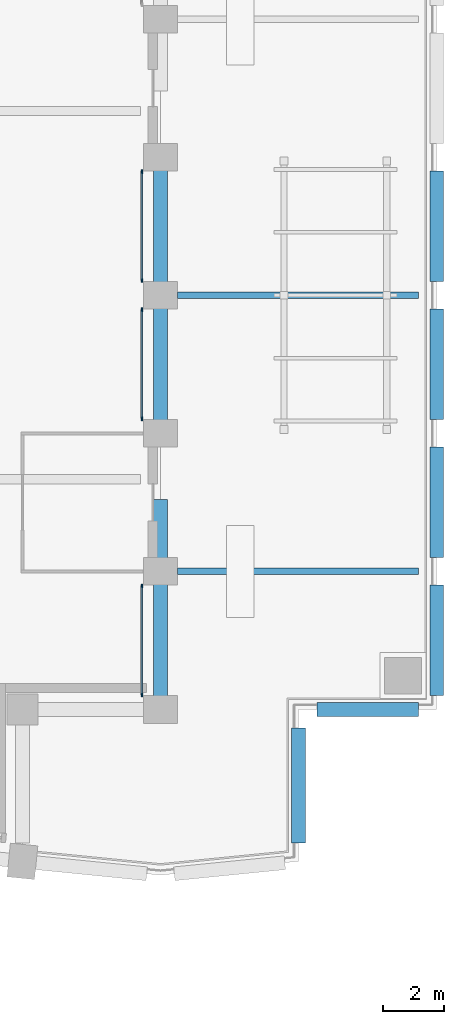
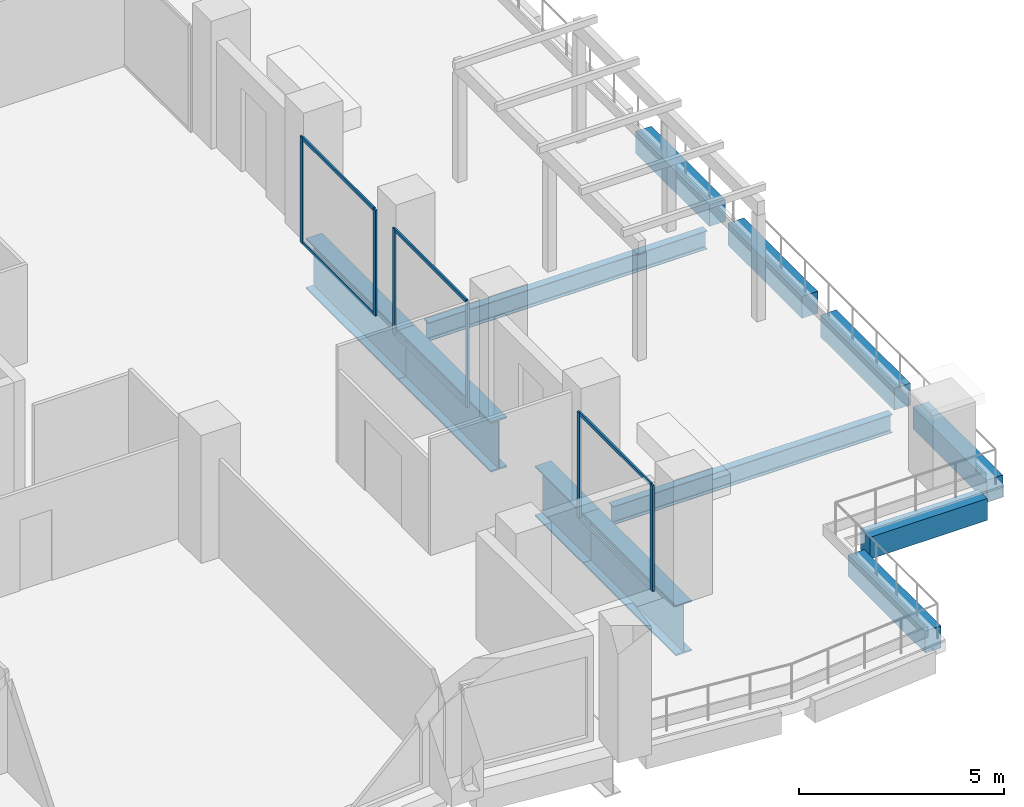
# One storey, part 7 of 18: 12 beams, 12 members, 3 elements without a shape of their own.
"""IFC4 building model written with IfcOpenShell, lengths in metres."""

from ifc_helpers import new_model, si_unit, direction, frame, origin, origin_2d, place, context, subcontext, project, spatial, rectangle, i_section, extrude, material, material_profile, profile_set, type_object, element, aggregate, save


model = new_model("IFC4")

# Units and contexts
model_context = context("Model", 3, precision=1e-05, world=origin(), true_north=direction((0.0, 1.0)))
body_context = subcontext(model_context, "Body", "Model", "MODEL_VIEW")
ifc_project = project(units=[si_unit("LENGTHUNIT", "METRE"), si_unit("AREAUNIT", "SQUARE_METRE"), si_unit("VOLUMEUNIT", "CUBIC_METRE"), si_unit("PLANEANGLEUNIT", "RADIAN"), si_unit("MASSUNIT", "GRAM", prefix="KILO")], contexts=[model_context])

# Site, building, storey
site_placement = place(None, origin())
site = spatial("IfcSite", under=ifc_project, at=site_placement, CompositionType="ELEMENT")
building_placement = place(site_placement, origin())
building = spatial("IfcBuilding", under=site, at=building_placement, Name="Brondeck Convention Tower", CompositionType="ELEMENT")
storey_placement = place(building_placement, frame((0.0, 0.0, 143.39990234375)))
storey = spatial("IfcBuildingStorey", under=building, at=storey_placement, Name="L34", CompositionType="ELEMENT", Elevation=143.39990234375)

# Curtain wall, members
ifc_material_1 = material(Name="Aluminium, bronze anodised", Category="aluminium")
curtain_wall_type = type_object("IfcCurtainWallType", Name="Terrace door screen curtain wall", PredefinedType="NOTDEFINED", material=ifc_material_1)
curtain_wall_1_placement = place(storey_placement, origin())
curtain_wall_1 = element("IfcCurtainWall", 1, at=curtain_wall_1_placement, inside=storey, type_object=curtain_wall_type, Name="ENV-CW6-L34-A-E63-01", PredefinedType="NOTDEFINED")
ifc_material_profile_1 = material_profile(ifc_material_1, rectangle(XDim=0.050048828125, YDim=0.1201171875, at=origin_2d()), Name="CW6 mullion")
ifc_profile_set_1 = profile_set([ifc_material_profile_1], Name="Aluminium, bronze anodised")
member_type_1 = type_object("IfcMemberType", Name="CW6 mullion", PredefinedType="MULLION", material=ifc_profile_set_1)
member_1_placement = place(storey_placement, frame((62.389892578125, 35.52490234375, 0.0), z_axis=(0.0, 0.0, 1.0), x_axis=(1.0, 0.0, 0.0)))
member_1 = element("IfcMember", 2, at=member_1_placement, type_object=member_type_1, Name="CW6 mullion 1", PredefinedType="MULLION", context=body_context, shape_type="SweptSolid", body=[
    extrude(rectangle(XDim=0.050048828125, YDim=0.1201171875, at=origin_2d()), origin(), (0.0, 0.0, 1.0), 3.150146484375),
])
member_2_placement = place(storey_placement, frame((62.389892578125, 31.97509765625, 0.0), z_axis=(0.0, 0.0, 1.0), x_axis=(1.0, 0.0, 0.0)))
member_2 = element("IfcMember", 3, at=member_2_placement, type_object=member_type_1, Name="CW6 mullion 2", PredefinedType="MULLION", context=body_context, shape_type="SweptSolid", body=[
    extrude(rectangle(XDim=0.050048828125, YDim=0.1201171875, at=origin_2d()), origin(), (0.0, 0.0, 1.0), 3.150146484375),
])

curtain_wall_2_placement = place(storey_placement, origin())
curtain_wall_2 = element("IfcCurtainWall", 4, at=curtain_wall_2_placement, inside=storey, type_object=curtain_wall_type, Name="ENV-CW6-L34-A-E63-03", PredefinedType="NOTDEFINED")
member_3_placement = place(storey_placement, frame((62.389892578125, 44.52490234375, 0.0), z_axis=(0.0, 0.0, 1.0), x_axis=(1.0, 0.0, 0.0)))
member_3 = element("IfcMember", 5, at=member_3_placement, type_object=member_type_1, Name="CW6 mullion 1", PredefinedType="MULLION", context=body_context, shape_type="SweptSolid", body=[
    extrude(rectangle(XDim=0.050048828125, YDim=0.1201171875, at=origin_2d()), origin(), (0.0, 0.0, 1.0), 3.150146484375),
])
member_4_placement = place(storey_placement, frame((62.389892578125, 40.97509765625, 0.0), z_axis=(0.0, 0.0, 1.0), x_axis=(1.0, 0.0, 0.0)))
member_4 = element("IfcMember", 6, at=member_4_placement, type_object=member_type_1, Name="CW6 mullion 2", PredefinedType="MULLION", context=body_context, shape_type="SweptSolid", body=[
    extrude(rectangle(XDim=0.050048828125, YDim=0.1201171875, at=origin_2d()), origin(), (0.0, 0.0, 1.0), 3.150146484375),
])

curtain_wall_3_placement = place(storey_placement, origin())
curtain_wall_3 = element("IfcCurtainWall", 7, at=curtain_wall_3_placement, inside=storey, type_object=curtain_wall_type, Name="ENV-CW6-L34-A-E63-04", PredefinedType="NOTDEFINED")
member_5_placement = place(storey_placement, frame((62.389892578125, 49.02490234375, 0.0), z_axis=(0.0, 0.0, 1.0), x_axis=(1.0, 0.0, 0.0)))
member_5 = element("IfcMember", 8, at=member_5_placement, type_object=member_type_1, Name="CW6 mullion 1", PredefinedType="MULLION", context=body_context, shape_type="SweptSolid", body=[
    extrude(rectangle(XDim=0.050048828125, YDim=0.1201171875, at=origin_2d()), origin(), (0.0, 0.0, 1.0), 3.150146484375),
])
member_6_placement = place(storey_placement, frame((62.389892578125, 45.47509765625, 0.0), z_axis=(0.0, 0.0, 1.0), x_axis=(1.0, 0.0, 0.0)))
member_6 = element("IfcMember", 9, at=member_6_placement, type_object=member_type_1, Name="CW6 mullion 2", PredefinedType="MULLION", context=body_context, shape_type="SweptSolid", body=[
    extrude(rectangle(XDim=0.050048828125, YDim=0.1201171875, at=origin_2d()), origin(), (0.0, 0.0, 1.0), 3.150146484375),
])

# Member
ifc_material_profile_2 = material_profile(ifc_material_1, rectangle(XDim=0.050048828125, YDim=0.10009765625, at=origin_2d()), Name="CW6 transom")
ifc_profile_set_2 = profile_set([ifc_material_profile_2], Name="Aluminium, bronze anodised")
member_type_2 = type_object("IfcMemberType", Name="CW6 transom", PredefinedType="USERDEFINED", material=ifc_profile_set_2)
member_7_placement = place(storey_placement, frame((62.389892578125, 35.5, 0.025146484375), z_axis=(0.0, -1.0, 0.0), x_axis=(1.0, 0.0, 0.0)))
member_7 = element("IfcMember", 10, at=member_7_placement, type_object=member_type_2, Name="CW6 transom 1.1", ObjectType="TRANSOM", PredefinedType="USERDEFINED", context=body_context, shape_type="SweptSolid", body=[
    extrude(rectangle(XDim=0.050048828125, YDim=0.10009765625, at=origin_2d()), origin(), (0.0, 0.0, 1.0), 3.5),
])

member_8_placement = place(storey_placement, frame((62.389892578125, 35.5, 3.125), z_axis=(0.0, -1.0, 0.0), x_axis=(1.0, 0.0, 0.0)))
member_8 = element("IfcMember", 11, at=member_8_placement, type_object=member_type_2, Name="CW6 transom 1.2", ObjectType="TRANSOM", PredefinedType="USERDEFINED", context=body_context, shape_type="SweptSolid", body=[
    extrude(rectangle(XDim=0.050048828125, YDim=0.10009765625, at=origin_2d()), origin(), (0.0, 0.0, 1.0), 3.5),
])

aggregate(curtain_wall_1, [member_1, member_2, member_7, member_8])

member_9_placement = place(storey_placement, frame((62.389892578125, 44.5, 0.025146484375), z_axis=(0.0, -1.0, 0.0), x_axis=(1.0, 0.0, 0.0)))
member_9 = element("IfcMember", 12, at=member_9_placement, type_object=member_type_2, Name="CW6 transom 1.1", ObjectType="TRANSOM", PredefinedType="USERDEFINED", context=body_context, shape_type="SweptSolid", body=[
    extrude(rectangle(XDim=0.050048828125, YDim=0.10009765625, at=origin_2d()), origin(), (0.0, 0.0, 1.0), 3.5),
])

member_10_placement = place(storey_placement, frame((62.389892578125, 44.5, 3.125), z_axis=(0.0, -1.0, 0.0), x_axis=(1.0, 0.0, 0.0)))
member_10 = element("IfcMember", 13, at=member_10_placement, type_object=member_type_2, Name="CW6 transom 1.2", ObjectType="TRANSOM", PredefinedType="USERDEFINED", context=body_context, shape_type="SweptSolid", body=[
    extrude(rectangle(XDim=0.050048828125, YDim=0.10009765625, at=origin_2d()), origin(), (0.0, 0.0, 1.0), 3.5),
])

aggregate(curtain_wall_2, [member_3, member_4, member_9, member_10])

member_11_placement = place(storey_placement, frame((62.389892578125, 49.0, 0.025146484375), z_axis=(0.0, -1.0, 0.0), x_axis=(1.0, 0.0, 0.0)))
member_11 = element("IfcMember", 14, at=member_11_placement, type_object=member_type_2, Name="CW6 transom 1.1", ObjectType="TRANSOM", PredefinedType="USERDEFINED", context=body_context, shape_type="SweptSolid", body=[
    extrude(rectangle(XDim=0.050048828125, YDim=0.10009765625, at=origin_2d()), origin(), (0.0, 0.0, 1.0), 3.5),
])

member_12_placement = place(storey_placement, frame((62.389892578125, 49.0, 3.125), z_axis=(0.0, -1.0, 0.0), x_axis=(1.0, 0.0, 0.0)))
member_12 = element("IfcMember", 15, at=member_12_placement, type_object=member_type_2, Name="CW6 transom 1.2", ObjectType="TRANSOM", PredefinedType="USERDEFINED", context=body_context, shape_type="SweptSolid", body=[
    extrude(rectangle(XDim=0.050048828125, YDim=0.10009765625, at=origin_2d()), origin(), (0.0, 0.0, 1.0), 3.5),
])

aggregate(curtain_wall_3, [member_5, member_6, member_11, member_12])

# Beams
ifc_material_2 = material(Name="Steel S355", Category="steel")
ifc_material_profile_3 = material_profile(ifc_material_2, i_section(OverallWidth=0.2099609375, OverallDepth=0.550048828125, WebThickness=0.010986328125, FlangeThickness=0.01708984375, FilletRadius=0.02392578125, at=origin_2d()), Name="IPE 550")
ifc_profile_set_3 = profile_set([ifc_material_profile_3], Name="Steel S355")
beam_type_1 = type_object("IfcBeamType", Name="Floor beam IPE 550", PredefinedType="BEAM", material=ifc_profile_set_3)
for number, where, z_axis, x_axis, name in (
    (16, (63.550048828125, 36.0, -0.574951171875), (1.0, 0.0, 0.0), (0.0, 1.0, 0.0), "STR-FB-L34T2-001"),
    (17, (63.550048828125, 45.0, -0.574951171875), (1.0, 0.0, 0.0), (0.0, 1.0, 0.0), "STR-FB-L34T2-002"),
):
    element("IfcBeam", number, at=place(storey_placement, frame(where, z_axis=z_axis, x_axis=x_axis)), inside=storey, type_object=beam_type_1, Name=name, PredefinedType="BEAM", context=body_context, shape_type="SweptSolid", body=[
        extrude(i_section(OverallWidth=0.2099609375, OverallDepth=0.550048828125, WebThickness=0.010986328125, FlangeThickness=0.01708984375, FilletRadius=0.02392578125, at=origin_2d()), origin(), (0.0, 0.0, 1.0), 7.849853515625),
    ])
ifc_material_3 = material(Name="Concrete C70/85", Category="concrete")
ifc_material_profile_4 = material_profile(ifc_material_3, rectangle(XDim=0.449951171875, YDim=0.64990234375, at=origin_2d()), Name="Precast spandrel 450x650 Concrete C70/85")
ifc_profile_set_4 = profile_set([ifc_material_profile_4], Name="Concrete C70/85")
beam_type_2 = type_object("IfcBeamType", Name="Precast spandrel 450x650 Concrete C70/85", PredefinedType="SPANDREL", material=ifc_profile_set_4)
for number, where, z_axis, x_axis, name in (
    (18, (72.0, 49.050048828125, -0.324951171875), (0.0, -1.0, 0.0), (1.0, 0.0, 0.0), "STR-SP-L34T2-006"),
    (19, (72.0, 44.550048828125, -0.324951171875), (0.0, -1.0, 0.0), (1.0, 0.0, 0.0), "STR-SP-L34T2-007"),
    (20, (72.0, 40.050048828125, -0.324951171875), (0.0, -1.0, 0.0), (1.0, 0.0, 0.0), "STR-SP-L34T2-008"),
    (21, (72.0, 35.550048828125, -0.324951171875), (0.0, -1.0, 0.0), (1.0, 0.0, 0.0), "STR-SP-L34T2-009"),
):
    element("IfcBeam", number, at=place(storey_placement, frame(where, z_axis=z_axis, x_axis=x_axis)), inside=storey, type_object=beam_type_2, Name=name, PredefinedType="SPANDREL", context=body_context, shape_type="SweptSolid", body=[
        extrude(rectangle(XDim=0.449951171875, YDim=0.64990234375, at=origin_2d()), origin(), (0.0, 0.0, 1.0), 3.60009765625),
    ])
beam_1_placement = place(storey_placement, frame((71.39990234375, 31.5, -0.324951171875), z_axis=(-1.0, 0.0, 0.0), x_axis=(0.0, -1.0, 0.0)))
element("IfcBeam", 22, at=beam_1_placement, inside=storey, type_object=beam_type_2, Name="STR-SP-L34T2-010", PredefinedType="SPANDREL", context=body_context, shape_type="SweptSolid", body=[
    extrude(rectangle(XDim=0.449951171875, YDim=0.64990234375, at=origin_2d()), origin(), (0.0, 0.0, 1.0), 3.2998046875),
])
beam_2_placement = place(storey_placement, frame((67.5, 30.89990234375, -0.324951171875), z_axis=(0.0, -1.0, 0.0), x_axis=(1.0, 0.0, 0.0)))
element("IfcBeam", 23, at=beam_2_placement, inside=storey, type_object=beam_type_2, Name="STR-SP-L34T2-011", PredefinedType="SPANDREL", context=body_context, shape_type="SweptSolid", body=[
    extrude(rectangle(XDim=0.449951171875, YDim=0.64990234375, at=origin_2d()), origin(), (0.0, 0.0, 1.0), 3.746826171875),
])
ifc_material_4 = material(Name="Steel S460", Category="steel")
ifc_material_profile_5 = material_profile(ifc_material_4, i_section(OverallWidth=0.449951171875, OverallDepth=1.5, WebThickness=0.02490234375, FlangeThickness=0.044921875, at=origin_2d()), Name="PG 1500x450")
ifc_profile_set_5 = profile_set([ifc_material_profile_5], Name="Steel S460")
beam_type_3 = type_object("IfcBeamType", Name="Transfer girder PG 1500x450", PredefinedType="BEAM", material=ifc_profile_set_5)
beam_3_placement = place(storey_placement, frame((63.0, 31.5, -1.0498046875), z_axis=(0.0, 1.0, 0.0), x_axis=(-1.0, 0.0, 0.0)))
element("IfcBeam", 24, at=beam_3_placement, inside=storey, type_object=beam_type_3, Name="Setback transfer girder PG-L34-13", PredefinedType="BEAM", context=body_context, shape_type="SweptSolid", body=[
    extrude(i_section(OverallWidth=0.449951171875, OverallDepth=1.5, WebThickness=0.02490234375, FlangeThickness=0.044921875, at=origin_2d()), origin(), (0.0, 0.0, 1.0), 4.5),
])
beam_4_placement = place(storey_placement, frame((63.0, 36.0, -1.0498046875), z_axis=(0.0, 1.0, 0.0), x_axis=(-1.0, 0.0, 0.0)))
element("IfcBeam", 25, at=beam_4_placement, inside=storey, type_object=beam_type_3, Name="Setback transfer girder PG-L34-14", PredefinedType="BEAM", context=body_context, shape_type="SweptSolid", body=[
    extrude(i_section(OverallWidth=0.449951171875, OverallDepth=1.5, WebThickness=0.02490234375, FlangeThickness=0.044921875, at=origin_2d()), origin(), (0.0, 0.0, 1.0), 2.35009765625),
])
for number, where, z_axis, x_axis, name in (
    (26, (63.0, 40.5, -1.0498046875), (0.0, 1.0, 0.0), (-1.0, 0.0, 0.0), "Setback transfer girder PG-L34-15"),
    (27, (63.0, 45.0, -1.0498046875), (0.0, 1.0, 0.0), (-1.0, 0.0, 0.0), "Setback transfer girder PG-L34-16"),
):
    element("IfcBeam", number, at=place(storey_placement, frame(where, z_axis=z_axis, x_axis=x_axis)), inside=storey, type_object=beam_type_3, Name=name, PredefinedType="BEAM", context=body_context, shape_type="SweptSolid", body=[
        extrude(i_section(OverallWidth=0.449951171875, OverallDepth=1.5, WebThickness=0.02490234375, FlangeThickness=0.044921875, at=origin_2d()), origin(), (0.0, 0.0, 1.0), 4.5),
    ])

save(model, "model.ifc")
